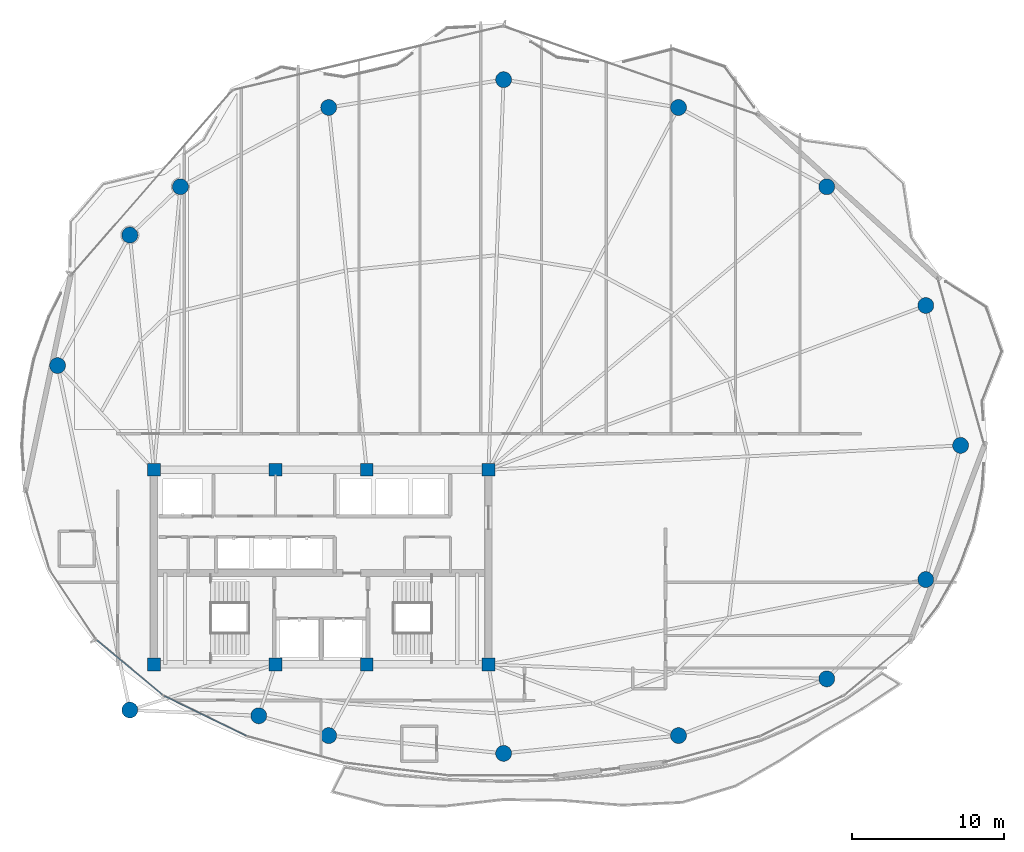
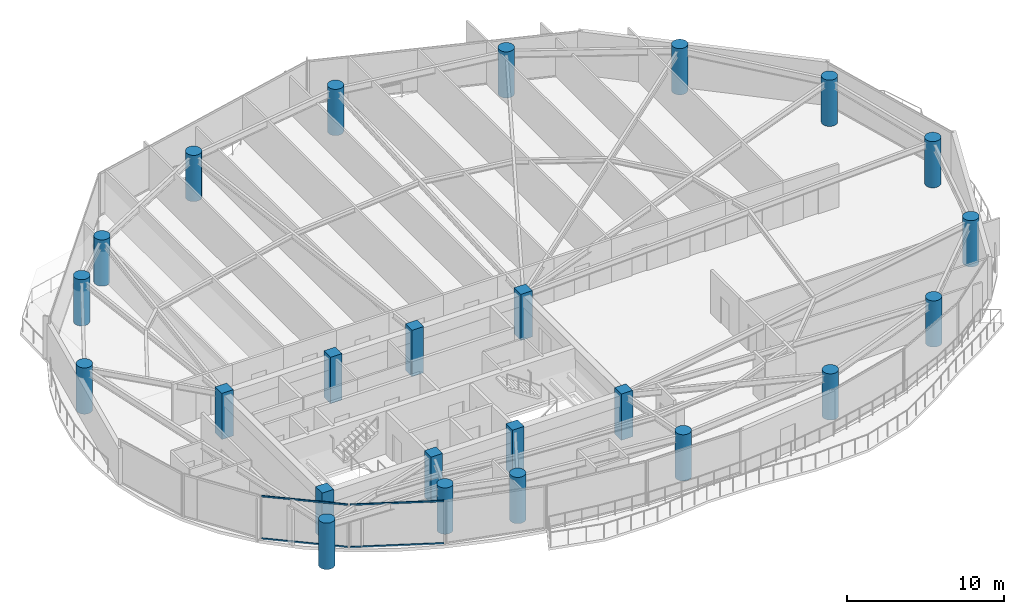
# One storey, part 1 of 29: 24 columns, 4 members, 2 elements without a shape of their own.
"""IFC4 building model written with IfcOpenShell, lengths in metres."""

from ifc_helpers import new_model, si_unit, direction, frame, origin, origin_2d, place, context, subcontext, project, spatial, rectangle, hollow_rectangle, circle, extrude, material, layer, layer_set, material_profile, profile_set, type_object, element, aggregate, save


model = new_model("IFC4")

# Units and contexts
model_context = context("Model", 3, precision=1e-05, world=origin(), true_north=direction((0.0, 1.0)))
body_context = subcontext(model_context, "Body", "Model", "MODEL_VIEW")
ifc_project = project(units=[si_unit("LENGTHUNIT", "METRE"), si_unit("AREAUNIT", "SQUARE_METRE"), si_unit("VOLUMEUNIT", "CUBIC_METRE"), si_unit("PLANEANGLEUNIT", "RADIAN"), si_unit("MASSUNIT", "GRAM", prefix="KILO")], contexts=[model_context])

# Site, building, storey
site_placement = place(None, origin())
site = spatial("IfcSite", under=ifc_project, at=site_placement, CompositionType="ELEMENT")
building_placement = place(site_placement, origin())
building = spatial("IfcBuilding", under=site, at=building_placement, Name="Kazevale Care Tower and Concert Hall", CompositionType="ELEMENT")
storey_placement = place(building_placement, frame((0.0, 0.0, 195.60009765625)))
storey = spatial("IfcBuildingStorey", under=building, at=storey_placement, Name="L51", CompositionType="ELEMENT", Elevation=195.60009765625)

# Columns
ifc_material_1 = material(Name="Concrete C50", Category="concrete")
ifc_material_profile_1 = material_profile(ifc_material_1, rectangle(XDim=0.85009765625, YDim=0.85009765625, at=origin_2d()), Name="RC-SQ850")
ifc_profile_set_1 = profile_set([ifc_material_profile_1], Name="Concrete C50")
column_type_1 = type_object("IfcColumnType", Name="Core Column SQ850 C50", PredefinedType="COLUMN", material=ifc_profile_set_1)
for number, where, z_axis, x_axis, name in (
    (1, (22.0, 23.60009765625, 0.0), (0.0, 0.0, 1.0), (1.0, 0.0, 0.0), "col:L51:CC-01"),
    (2, (30.0, 23.60009765625, 0.0), (0.0, 0.0, 1.0), (1.0, 0.0, 0.0), "col:L51:CC-02"),
    (3, (36.0, 23.60009765625, 0.0), (0.0, 0.0, 1.0), (1.0, 0.0, 0.0), "col:L51:CC-03"),
    (4, (44.0, 23.60009765625, 0.0), (0.0, 0.0, 1.0), (1.0, 0.0, 0.0), "col:L51:CC-04"),
    (5, (44.0, 36.39990234375, 0.0), (0.0, 0.0, 1.0), (1.0, 0.0, 0.0), "col:L51:CC-05"),
    (6, (36.0, 36.39990234375, 0.0), (0.0, 0.0, 1.0), (1.0, 0.0, 0.0), "col:L51:CC-06"),
    (7, (30.0, 36.39990234375, 0.0), (0.0, 0.0, 1.0), (1.0, 0.0, 0.0), "col:L51:CC-07"),
    (8, (22.0, 36.39990234375, 0.0), (0.0, 0.0, 1.0), (1.0, 0.0, 0.0), "col:L51:CC-08"),
):
    element("IfcColumn", number, at=place(storey_placement, frame(where, z_axis=z_axis, x_axis=x_axis)), inside=storey, type_object=column_type_1, Name=name, PredefinedType="COLUMN", context=body_context, shape_type="SweptSolid", body=[
        extrude(rectangle(XDim=0.85009765625, YDim=0.85009765625, at=origin_2d()), origin(), (0.0, 0.0, 1.0), 3.599853515625),
    ])
ifc_material_profile_2 = material_profile(ifc_material_1, circle(Radius=0.52490234375, at=origin_2d()), Name="RC-CIR1050")
ifc_profile_set_2 = profile_set([ifc_material_profile_2], Name="Concrete C50")
column_type_2 = type_object("IfcColumnType", Name="Perimeter Column CIR1050 C50", PredefinedType="COLUMN", material=ifc_profile_set_2)
for number, where, z_axis, x_axis, name in (
    (9, (75.050048828125, 38.0, 0.0), (0.0, 0.0, 1.0), (1.0, 0.0, 0.0), "col:L51:PC-01"),
    (10, (72.760009765625, 47.199951171875, 0.0), (0.0, 0.0, 1.0), (1.0, 0.0, 0.0), "col:L51:PC-02"),
    (11, (66.25, 55.010009765625, 0.0), (0.0, 0.0, 1.0), (1.0, 0.0, 0.0), "col:L51:PC-03"),
    (12, (56.5, 60.219970703125, 0.0), (0.0, 0.0, 1.0), (1.0, 0.0, 0.0), "col:L51:PC-04"),
    (13, (45.0, 62.050048828125, 0.0), (0.0, 0.0, 1.0), (1.0, 0.0, 0.0), "col:L51:PC-05"),
    (14, (33.5, 60.219970703125, 0.0), (0.0, 0.0, 1.0), (1.0, 0.0, 0.0), "col:L51:PC-06"),
    (15, (23.75, 55.010009765625, 0.0), (0.0, 0.0, 1.0), (1.0, 0.0, 0.0), "col:L51:PC-07"),
    (16, (20.419921875, 51.830078125, 0.0), (0.0, 0.0, 1.0), (1.0, 0.0, 0.0), "col:L51:PC-08"),
    (17, (15.669921875, 43.25, 0.0), (0.0, 0.0, 1.0), (1.0, 0.0, 0.0), "col:L51:PC-09"),
    (18, (20.419921875, 20.60009765625, 0.0), (0.0, 0.0, 1.0), (1.0, 0.0, 0.0), "col:L51:PC-10"),
    (19, (28.89990234375, 20.219970703125, 0.0), (0.0, 0.0, 1.0), (1.0, 0.0, 0.0), "col:L51:PC-11"),
    (20, (33.5, 18.919921875, 0.0), (0.0, 0.0, 1.0), (1.0, 0.0, 0.0), "col:L51:PC-12"),
    (21, (45.0, 17.75, 0.0), (0.0, 0.0, 1.0), (1.0, 0.0, 0.0), "col:L51:PC-13"),
    (22, (56.5, 18.919921875, 0.0), (0.0, 0.0, 1.0), (1.0, 0.0, 0.0), "col:L51:PC-14"),
    (23, (66.25, 22.64990234375, 0.0), (0.0, 0.0, 1.0), (1.0, 0.0, 0.0), "col:L51:PC-15"),
    (24, (72.760009765625, 29.179931640625, 0.0), (0.0, 0.0, 1.0), (1.0, 0.0, 0.0), "col:L51:PC-16"),
):
    element("IfcColumn", number, at=place(storey_placement, frame(where, z_axis=z_axis, x_axis=x_axis)), inside=storey, type_object=column_type_2, Name=name, PredefinedType="COLUMN", context=body_context, shape_type="SweptSolid", body=[
        extrude(circle(Radius=0.52490234375, at=origin_2d()), origin(), (0.0, 0.0, 1.0), 3.599853515625),
    ])

# Curtain wall, members
ifc_material_2 = material(Name="Aluminium 6063-T6 and Low-E Glass", Category="aluminium")
ifc_layer = layer(ifc_material_2, 0.179931640625)
ifc_layer_set = layer_set([ifc_layer], Name="Aluminium 6063-T6 and Low-E Glass")
curtain_wall_type = type_object("IfcCurtainWallType", Name="Sheltered Concave Balcony Curtain Wall CW-5", PredefinedType="NOTDEFINED", material=ifc_layer_set)
curtain_wall_1_placement = place(storey_placement, origin())
curtain_wall_1 = element("IfcCurtainWall", 25, at=curtain_wall_1_placement, inside=storey, type_object=curtain_wall_type, Name="cw:L51:f09", PredefinedType="NOTDEFINED")
ifc_material_3 = material(Name="Aluminium 6063-T6", Category="aluminium")
ifc_material_profile_3 = material_profile(ifc_material_3, hollow_rectangle(XDim=0.074951171875, YDim=0.1201171875, WallThickness=0.00390625, at=origin_2d()), Name="ALU75x120x4")
ifc_profile_set_3 = profile_set([ifc_material_profile_3], Name="Aluminium 6063-T6")
member_type = type_object("IfcMemberType", Name="CW-5 Transom ALU75x120x4", PredefinedType="USERDEFINED", material=ifc_profile_set_3)
member_1_placement = place(storey_placement, frame((28.07666015625, 18.90576171875, 0.037353515625), z_axis=(-0.899342308406, 0.437245254189, 0.0), x_axis=(-0.437245254189, -0.899342308406, 0.0)))
member_1 = element("IfcMember", 26, at=member_1_placement, type_object=member_type, Name="CW-5 transom 1.1", ObjectType="TRANSOM", PredefinedType="USERDEFINED", context=body_context, shape_type="SweptSolid", body=[
    extrude(hollow_rectangle(XDim=0.074951171875, YDim=0.1201171875, WallThickness=0.00390625, at=origin_2d()), origin(), (0.0, 0.0, 1.0), 6.00244140625),
])
member_2_placement = place(storey_placement, frame((28.07666015625, 18.90576171875, 3.322509765625), z_axis=(-0.899342308406, 0.437245254189, 0.0), x_axis=(-0.437245254189, -0.899342308406, 0.0)))
member_2 = element("IfcMember", 27, at=member_2_placement, type_object=member_type, Name="CW-5 transom 1.2", ObjectType="TRANSOM", PredefinedType="USERDEFINED", context=body_context, shape_type="SweptSolid", body=[
    extrude(hollow_rectangle(XDim=0.074951171875, YDim=0.1201171875, WallThickness=0.00390625, at=origin_2d()), origin(), (0.0, 0.0, 1.0), 6.00244140625),
])
aggregate(curtain_wall_1, [member_1, member_2])

curtain_wall_2_placement = place(storey_placement, origin())
curtain_wall_2 = element("IfcCurtainWall", 28, at=curtain_wall_2_placement, inside=storey, type_object=curtain_wall_type, Name="cw:L51:f10", PredefinedType="NOTDEFINED")
member_3_placement = place(storey_placement, frame((22.553466796875, 21.611083984375, 0.037353515625), z_axis=(-0.768432829708, 0.639930454211, 0.0), x_axis=(-0.639930454211, -0.768432829708, 0.0)))
member_3 = element("IfcMember", 29, at=member_3_placement, type_object=member_type, Name="CW-5 transom 1.1", ObjectType="TRANSOM", PredefinedType="USERDEFINED", context=body_context, shape_type="SweptSolid", body=[
    extrude(hollow_rectangle(XDim=0.074951171875, YDim=0.1201171875, WallThickness=0.00390625, at=origin_2d()), origin(), (0.0, 0.0, 1.0), 5.580078125),
])
member_4_placement = place(storey_placement, frame((22.553466796875, 21.611083984375, 3.322509765625), z_axis=(-0.768432829708, 0.639930454211, 0.0), x_axis=(-0.639930454211, -0.768432829708, 0.0)))
member_4 = element("IfcMember", 30, at=member_4_placement, type_object=member_type, Name="CW-5 transom 1.2", ObjectType="TRANSOM", PredefinedType="USERDEFINED", context=body_context, shape_type="SweptSolid", body=[
    extrude(hollow_rectangle(XDim=0.074951171875, YDim=0.1201171875, WallThickness=0.00390625, at=origin_2d()), origin(), (0.0, 0.0, 1.0), 5.580078125),
])
aggregate(curtain_wall_2, [member_3, member_4])

save(model, "model.ifc")
